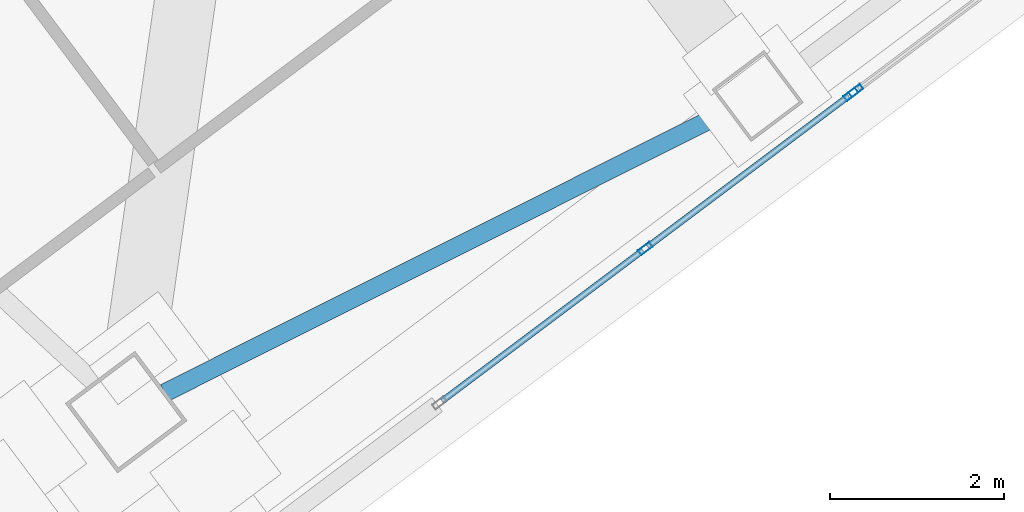
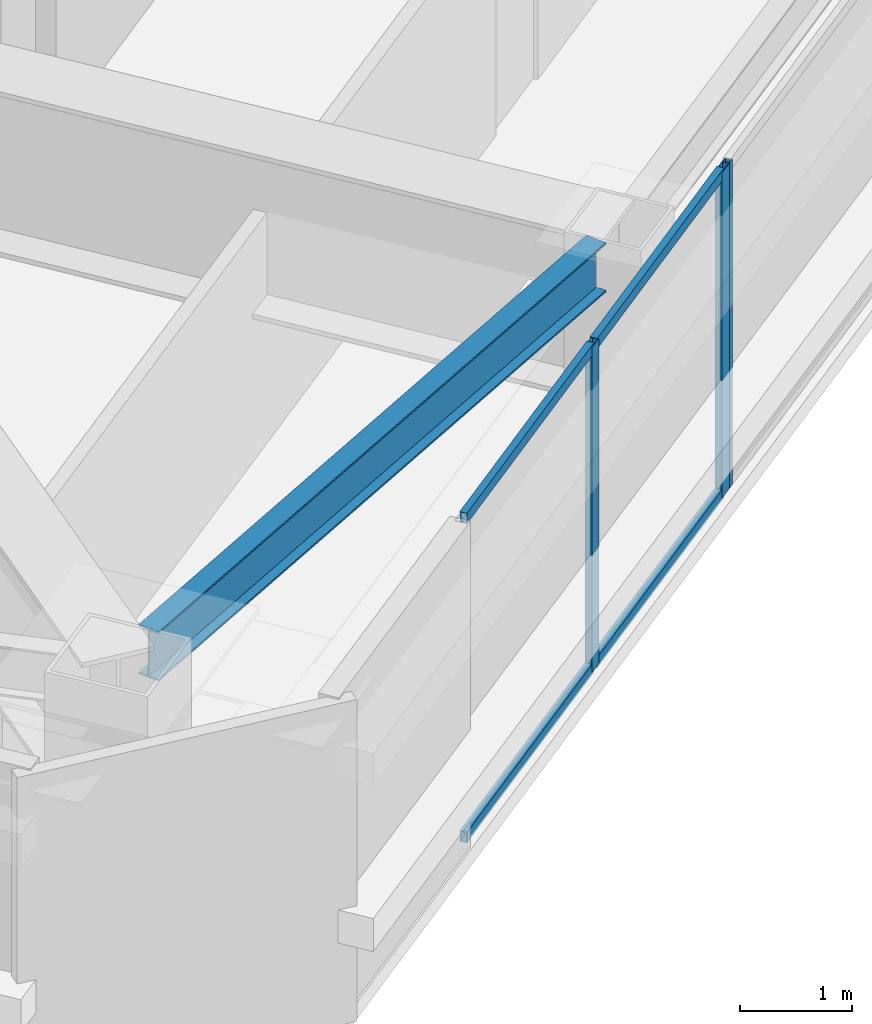
# One storey, part 18 of 40: 7 members, 1 beam, 2 elements without a shape of their own.
"""IFC4 building model written with IfcOpenShell, lengths in metres."""

from ifc_helpers import new_model, si_unit, direction, frame, origin, origin_2d, place, context, subcontext, project, spatial, hollow_rectangle, i_section, extrude, material, material_profile, profile_set, type_object, element, aggregate, save


model = new_model("IFC4")

# Units and contexts
model_context = context("Model", 3, precision=1e-05, world=origin(), true_north=direction((0.0, 1.0)))
body_context = subcontext(model_context, "Body", "Model", "MODEL_VIEW")
ifc_project = project(units=[si_unit("LENGTHUNIT", "METRE"), si_unit("AREAUNIT", "SQUARE_METRE"), si_unit("VOLUMEUNIT", "CUBIC_METRE"), si_unit("PLANEANGLEUNIT", "RADIAN"), si_unit("MASSUNIT", "GRAM", prefix="KILO")], contexts=[model_context])

# Site, building, storey
site_placement = place(None, origin())
site = spatial("IfcSite", under=ifc_project, at=site_placement, CompositionType="ELEMENT")
building_placement = place(site_placement, origin())
building = spatial("IfcBuilding", under=site, at=building_placement, Name="Tashvorn Skyway Center", CompositionType="ELEMENT")
storey_placement = place(building_placement, frame((0.0, 0.0, 229.050048828125)))
storey = spatial("IfcBuildingStorey", under=building, at=storey_placement, Name="L62", CompositionType="ELEMENT", Elevation=229.050048828125)

# Beam
ifc_material_1 = material(Name="Steel ASTM A992 Grade 50", Category="steel")
ifc_material_profile_1 = material_profile(ifc_material_1, i_section(OverallWidth=0.2109375, OverallDepth=0.5390625, WebThickness=0.01171875, FlangeThickness=0.018798828125, at=origin_2d()), Name="W21X73")
ifc_profile_set_1 = profile_set([ifc_material_profile_1], Name="Steel ASTM A992 Grade 50")
beam_type = type_object("IfcBeamType", Name="BM-SPANDREL-W21X73", PredefinedType="SPANDREL", material=ifc_profile_set_1)
beam_placement = place(storey_placement, frame((111.7626953125, 13.461669921875, 3.100341796875), z_axis=(0.894178380472, 0.447710870872, 0.0), x_axis=(-0.447710870872, 0.894178380472, 0.0)))
element("IfcBeam", 1, at=beam_placement, inside=storey, type_object=beam_type, Name="Tower 2 L62 Spandrel Beam 01", PredefinedType="SPANDREL", context=body_context, shape_type="SweptSolid", body=[
    extrude(i_section(OverallWidth=0.2109375, OverallDepth=0.5390625, WebThickness=0.01171875, FlangeThickness=0.018798828125, at=origin_2d()), origin(), (0.0, 0.0, 1.0), 7.26513671875),
])

# Curtain wall, member
ifc_material_2 = material(Name="Thermally broken bronze-anodized aluminium 6063-T6", Category="aluminium")
curtain_wall_type = type_object("IfcCurtainWallType", Name="CW-CW-Z5", PredefinedType="NOTDEFINED", material=ifc_material_2)
curtain_wall_1_placement = place(storey_placement, origin())
curtain_wall_1 = element("IfcCurtainWall", 2, at=curtain_wall_1_placement, inside=storey, type_object=curtain_wall_type, Name="Tower 2 L62 South Unitised Curtain Wall Glazing Group 2", PredefinedType="NOTDEFINED")
ifc_material_profile_2 = material_profile(ifc_material_2, hollow_rectangle(XDim=0.070068359375, YDim=0.1650390625, WallThickness=0.00390625, at=origin_2d()), Name="ALU-MULL-70x165")
ifc_profile_set_2 = profile_set([ifc_material_profile_2], Name="Thermally broken bronze-anodized aluminium 6063-T6")
member_type_1 = type_object("IfcMemberType", Name="CWM-CW-Z5", PredefinedType="MULLION", material=ifc_profile_set_2)
member_1_placement = place(storey_placement, frame((119.72119140625, 16.94091796875, 0.0), z_axis=(0.0, 0.0, 1.0), x_axis=(0.599996439189, -0.800002670596, 0.0)))
member_1 = element("IfcMember", 3, at=member_1_placement, type_object=member_type_1, Name="CW-Z5 mullion 2", PredefinedType="MULLION", context=body_context, shape_type="SweptSolid", body=[
    extrude(hollow_rectangle(XDim=0.070068359375, YDim=0.1650390625, WallThickness=0.00390625, at=origin_2d()), origin(), (0.0, 0.0, 1.0), 3.550048828125),
])
aggregate(curtain_wall_1, [member_1])

# Curtain wall, members
curtain_wall_2_placement = place(storey_placement, origin())
curtain_wall_2 = element("IfcCurtainWall", 4, at=curtain_wall_2_placement, inside=storey, type_object=curtain_wall_type, Name="Tower 2 L62 South Unitised Curtain Wall Glazing Group 3", PredefinedType="NOTDEFINED")
member_2_placement = place(storey_placement, frame((119.665283203125, 16.89892578125, 0.0), z_axis=(0.0, 0.0, 1.0), x_axis=(0.600002670604, -0.79999799704, 0.0)))
member_2 = element("IfcMember", 5, at=member_2_placement, type_object=member_type_1, Name="CW-Z5 mullion 1", PredefinedType="MULLION", context=body_context, shape_type="SweptSolid", body=[
    extrude(hollow_rectangle(XDim=0.070068359375, YDim=0.1650390625, WallThickness=0.00390625, at=origin_2d()), origin(), (0.0, 0.0, 1.0), 3.550048828125),
])
member_3_placement = place(storey_placement, frame((117.296875, 15.12255859375, 0.0), z_axis=(0.0, 0.0, 1.0), x_axis=(0.600002670604, -0.79999799704, 0.0)))
member_3 = element("IfcMember", 6, at=member_3_placement, type_object=member_type_1, Name="CW-Z5 mullion 2", PredefinedType="MULLION", context=body_context, shape_type="SweptSolid", body=[
    extrude(hollow_rectangle(XDim=0.070068359375, YDim=0.1650390625, WallThickness=0.00390625, at=origin_2d()), origin(), (0.0, 0.0, 1.0), 3.550048828125),
])
ifc_material_profile_3 = material_profile(ifc_material_2, hollow_rectangle(XDim=0.070068359375, YDim=0.114990234375, WallThickness=0.00390625, at=origin_2d()), Name="ALU-TRAN-70x115")
ifc_profile_set_3 = profile_set([ifc_material_profile_3], Name="Thermally broken bronze-anodized aluminium 6063-T6")
member_type_2 = type_object("IfcMemberType", Name="CWT-CW-Z5", PredefinedType="USERDEFINED", material=ifc_profile_set_3)
member_4_placement = place(storey_placement, frame((119.63720703125, 16.8779296875, 0.034912109375), z_axis=(-0.799969591513, -0.600040542509, 0.0), x_axis=(0.600040542509, -0.799969591513, 0.0)))
member_4 = element("IfcMember", 7, at=member_4_placement, type_object=member_type_2, Name="CW-Z5 transom 1.1", ObjectType="TRANSOM", PredefinedType="USERDEFINED", context=body_context, shape_type="SweptSolid", body=[
    extrude(hollow_rectangle(XDim=0.070068359375, YDim=0.114990234375, WallThickness=0.00390625, at=origin_2d()), origin(), (0.0, 0.0, 1.0), 2.890380859375),
])
member_5_placement = place(storey_placement, frame((119.63720703125, 16.8779296875, 3.514892578125), z_axis=(-0.799969591513, -0.600040542509, 0.0), x_axis=(0.600040542509, -0.799969591513, 0.0)))
member_5 = element("IfcMember", 8, at=member_5_placement, type_object=member_type_2, Name="CW-Z5 transom 1.2", ObjectType="TRANSOM", PredefinedType="USERDEFINED", context=body_context, shape_type="SweptSolid", body=[
    extrude(hollow_rectangle(XDim=0.070068359375, YDim=0.114990234375, WallThickness=0.00390625, at=origin_2d()), origin(), (0.0, 0.0, 1.0), 2.890380859375),
])
member_6_placement = place(storey_placement, frame((117.268798828125, 15.1015625, 0.034912109375), z_axis=(-0.8, -0.6, 0.0), x_axis=(0.6, -0.8, 0.0)))
member_6 = element("IfcMember", 9, at=member_6_placement, type_object=member_type_2, Name="CW-Z5 transom 2.1", ObjectType="TRANSOM", PredefinedType="USERDEFINED", context=body_context, shape_type="SweptSolid", body=[
    extrude(hollow_rectangle(XDim=0.070068359375, YDim=0.114990234375, WallThickness=0.00390625, at=origin_2d()), origin(), (0.0, 0.0, 1.0), 2.890625),
])
member_7_placement = place(storey_placement, frame((117.268798828125, 15.1015625, 3.514892578125), z_axis=(-0.8, -0.6, 0.0), x_axis=(0.6, -0.8, 0.0)))
member_7 = element("IfcMember", 10, at=member_7_placement, type_object=member_type_2, Name="CW-Z5 transom 2.2", ObjectType="TRANSOM", PredefinedType="USERDEFINED", context=body_context, shape_type="SweptSolid", body=[
    extrude(hollow_rectangle(XDim=0.070068359375, YDim=0.114990234375, WallThickness=0.00390625, at=origin_2d()), origin(), (0.0, 0.0, 1.0), 2.890625),
])
aggregate(curtain_wall_2, [member_2, member_3, member_4, member_5, member_6, member_7])

save(model, "model.ifc")
